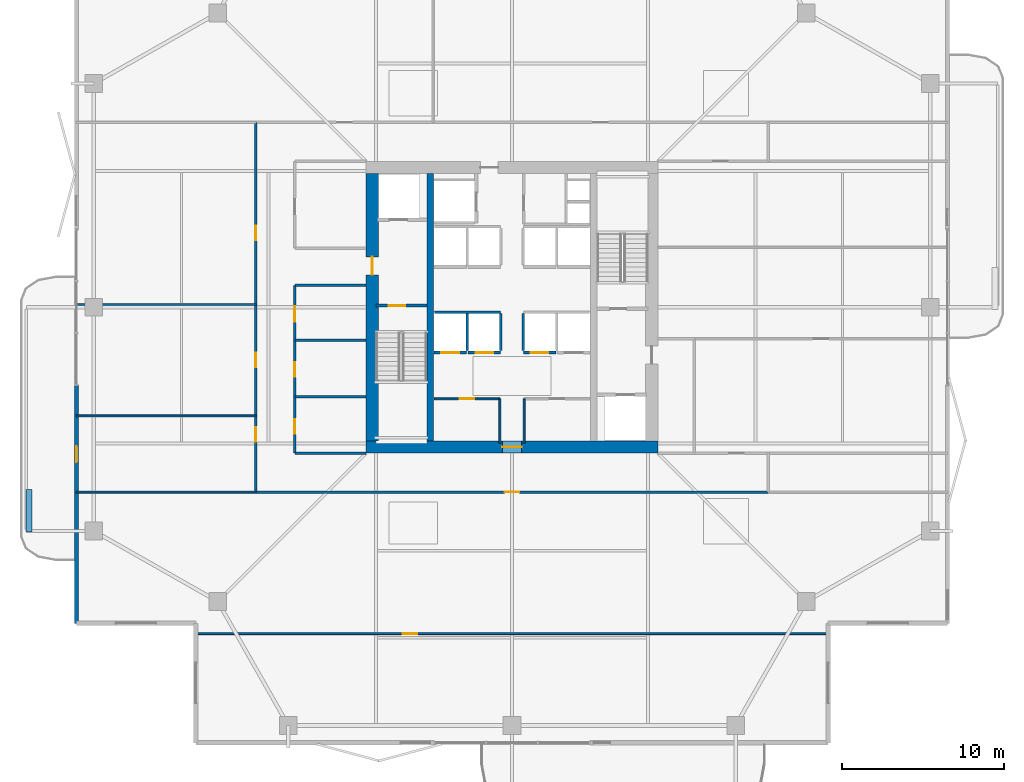
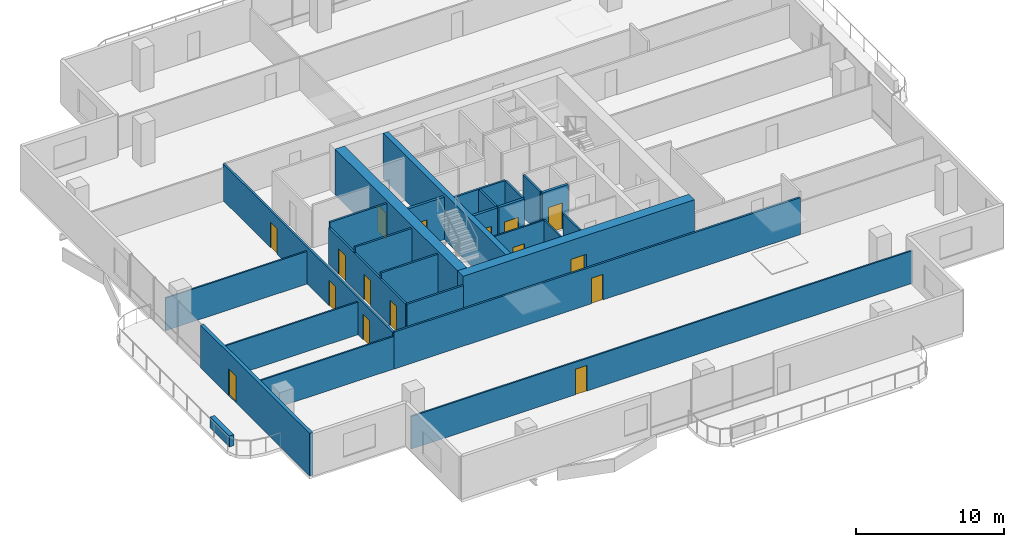
# One storey, part 17 of 24: 27 walls, 16 doors, 16 openings.
"""IFC4 building model written with IfcOpenShell, lengths in metres."""

from ifc_helpers import new_model, si_unit, direction, frame, frame_2d, origin, place, context, subcontext, project, spatial, rectangle, extrude, material, layer, layer_set, type_object, element, fill, save


model = new_model("IFC4")

# Units and contexts
model_context = context("Model", 3, precision=1e-05, world=origin(), true_north=direction((0.0, 1.0)))
body_context = subcontext(model_context, "Body", "Model", "MODEL_VIEW")
ifc_project = project(units=[si_unit("LENGTHUNIT", "METRE"), si_unit("AREAUNIT", "SQUARE_METRE"), si_unit("VOLUMEUNIT", "CUBIC_METRE"), si_unit("PLANEANGLEUNIT", "RADIAN"), si_unit("MASSUNIT", "GRAM", prefix="KILO")], contexts=[model_context])

# Site, building, storey
site_placement = place(None, origin())
site = spatial("IfcSite", under=ifc_project, at=site_placement, CompositionType="ELEMENT")
building_placement = place(site_placement, origin())
building = spatial("IfcBuilding", under=site, at=building_placement, Name="Belovzor Exchange Tower", CompositionType="ELEMENT")
storey_placement = place(building_placement, frame((0.0, 0.0, 237.449951171875)))
storey = spatial("IfcBuildingStorey", under=building, at=storey_placement, Name="L59", CompositionType="ELEMENT", Elevation=237.449951171875)

# Wall, opening, door
ifc_material_1 = material(Name="Acoustic Plasterboard on Galvanised Studs", Category="gypsum")
ifc_layer_1 = layer(ifc_material_1, 0.1201171875)
ifc_layer_set_1 = layer_set([ifc_layer_1], Name="Acoustic Plasterboard on Galvanised Studs")
wall_type_1 = type_object("IfcWallType", Name="Acoustic Double-Stud Partition Wall 120", PredefinedType="PARTITIONING", material=ifc_layer_set_1)
wall_1_placement = place(storey_placement, frame((9.300048828125, 8.6650390625, 0.0), z_axis=(0.0, 0.0, 1.0), x_axis=(1.0, 0.0, 0.0)))
wall_1 = element("IfcWall", 1, at=wall_1_placement, inside=storey, type_object=wall_type_1, Name="W-P120 Partition Wall W-L59-SHDIV-0", PredefinedType="PARTITIONING", context=body_context, shape_type="SweptSolid", body=[
    extrude(rectangle(XDim=39.0, YDim=0.1201171875, at=frame_2d((19.5, 0.0))), origin(), (0.0, 0.0, 1.0), 2.68505859375),
])
opening_1_placement = place(wall_1_placement, frame((12.76708984375, 0.0, 0.0)))
opening_1 = element("IfcOpeningElement", 2, at=opening_1_placement, cuts=wall_1, Name="Opening D-INT-090", PredefinedType="OPENING", context=body_context, shape_type="SweptSolid", body=[
    extrude(rectangle(XDim=0.89990234375, YDim=2.10009765625, at=frame_2d((0.449951171875, 1.050048828125))), frame((0.0, 0.070068359375, 0.0), z_axis=(0.0, -1.0, 0.0), x_axis=(1.0, 0.0, 0.0)), (0.0, 0.0, 1.0), 0.14013671875),
])
ifc_material_2 = material(Name="Veneered Hardwood Acoustic Leaf", Category="wood")
door_type_1 = type_object("IfcDoorType", Name="Trading Suite Acoustic Single Door 900x2100", OperationType="NOTDEFINED", PredefinedType="DOOR", material=ifc_material_2)
door_1_placement = place(opening_1_placement, origin())
door_1 = element("IfcDoor", 3, at=door_1_placement, inside=storey, type_object=door_type_1, Name="D-INT-090 Trading Suite Acoustic Single Door 900x2100", OperationType="SINGLE_SWING_LEFT", OverallHeight=2.10009765625, OverallWidth=0.89990234375, PredefinedType="DOOR", context=body_context, shape_type="SweptSolid", body=[
    extrude(rectangle(XDim=0.89990234375, YDim=2.10009765625, at=frame_2d((0.449951171875, 1.050048828125))), frame((0.0, 0.02490234375, 0.0), z_axis=(0.0, -1.0, 0.0), x_axis=(1.0, 0.0, 0.0)), (0.0, 0.0, 1.0), 0.050048828125),
])
fill(opening_1, door_1)

# Walls
for number, where, z_axis, x_axis, name in (
    (4, (1.929931640625, 22.10009765625, 0.0), (0.0, 0.0, 1.0), (1.0, 0.0, 0.0), "W-P120 Partition Wall W-L59-WDIV-1"),
    (5, (1.929931640625, 28.968994140625, 0.0), (0.0, 0.0, 1.0), (1.0, 0.0, 0.0), "W-P120 Partition Wall W-L59-WDIV-2"),
    (6, (1.929931640625, 17.39990234375, 0.0), (0.0, 0.0, 1.0), (1.0, 0.0, 0.0), "W-P120 Partition Wall W-L59-END-SW"),
):
    element("IfcWall", number, at=place(storey_placement, frame(where, z_axis=z_axis, x_axis=x_axis)), inside=storey, type_object=wall_type_1, Name=name, PredefinedType="PARTITIONING", context=body_context, shape_type="SweptSolid", body=[
        extrude(rectangle(XDim=11.070068359375, YDim=0.1201171875, at=frame_2d((5.53515625, 0.0))), origin(), (0.0, 0.0, 1.0), 2.68505859375),
    ])

# Wall, opening, door
ifc_material_3 = material(Name="Fire-Rated Plasterboard on Galvanised Studs", Category="gypsum")
ifc_layer_2 = layer(ifc_material_3, 0.1201171875)
ifc_layer_set_2 = layer_set([ifc_layer_2], Name="Fire-Rated Plasterboard on Galvanised Studs")
wall_type_2 = type_object("IfcWallType", Name="Fire-Rated Double-Stud Partition Wall 120", PredefinedType="PARTITIONING", material=ifc_layer_set_2)
wall_2_placement = place(storey_placement, frame((24.0, 23.14990234375, 0.0), z_axis=(0.0, 0.0, 1.0), x_axis=(1.0, 0.0, 0.0)))
wall_2 = element("IfcWall", 7, at=wall_2_placement, inside=storey, type_object=wall_type_2, Name="W-P120F Partition Wall W-CRL-L59-WN", PredefinedType="PARTITIONING", context=body_context, shape_type="SweptSolid", body=[
    extrude(rectangle(XDim=4.050048828125, YDim=0.1201171875, at=frame_2d((2.02490234375, 0.0))), origin(), (0.0, 0.0, 1.0), 3.5),
])
opening_2_placement = place(wall_2_placement, frame((1.574951171875, 0.0, 0.0)))
opening_2 = element("IfcOpeningElement", 8, at=opening_2_placement, cuts=wall_2, Name="Opening D-FD60-090", PredefinedType="OPENING", context=body_context, shape_type="SweptSolid", body=[
    extrude(rectangle(XDim=0.89990234375, YDim=2.10009765625, at=frame_2d((0.449951171875, 1.050048828125))), frame((0.0, 0.070068359375, 0.0), z_axis=(0.0, -1.0, 0.0), x_axis=(1.0, 0.0, 0.0)), (0.0, 0.0, 1.0), 0.14013671875),
])
ifc_material_4 = material(Name="Acoustic Timber Fire Leaf", Category="wood")
door_type_2 = type_object("IfcDoorType", Name="Core Service & Restroom Fire Door 900x2100", OperationType="NOTDEFINED", PredefinedType="DOOR", material=ifc_material_4)
door_2_placement = place(opening_2_placement, origin())
door_2 = element("IfcDoor", 9, at=door_2_placement, inside=storey, type_object=door_type_2, Name="D-FD60-090 Core Service & Restroom Fire Door 900x2100", OperationType="SINGLE_SWING_LEFT", OverallHeight=2.10009765625, OverallWidth=0.89990234375, PredefinedType="DOOR", context=body_context, shape_type="SweptSolid", body=[
    extrude(rectangle(XDim=0.89990234375, YDim=2.10009765625, at=frame_2d((0.449951171875, 1.050048828125))), frame((0.0, 0.02490234375, 0.0), z_axis=(0.0, -1.0, 0.0), x_axis=(1.0, 0.0, 0.0)), (0.0, 0.0, 1.0), 0.050048828125),
])
fill(opening_2, door_2)

# Walls
for number, where, z_axis, x_axis, name in (
    (10, (28.050048828125, 20.39990234375, 0.0), (0.0, 0.0, 1.0), (0.0, 1.0, 0.0), "W-P120F Partition Wall W-CRL-L59-WE"),
    (11, (29.550048828125, 20.39990234375, 0.0), (0.0, 0.0, 1.0), (0.0, 1.0, 0.0), "W-P120F Partition Wall W-CRL-L59-EW"),
):
    element("IfcWall", number, at=place(storey_placement, frame(where, z_axis=z_axis, x_axis=x_axis)), inside=storey, type_object=wall_type_2, Name=name, PredefinedType="PARTITIONING", context=body_context, shape_type="SweptSolid", body=[
        extrude(rectangle(XDim=2.75, YDim=0.1201171875, at=frame_2d((1.375, 0.0))), origin(), (0.0, 0.0, 1.0), 3.5),
    ])
ifc_material_5 = material(Name="Fire-Rated Gypsum Block and Mineral Wool", Category="gypsum")
ifc_layer_3 = layer(ifc_material_5, 0.14990234375)
ifc_layer_set_3 = layer_set([ifc_layer_3], Name="Fire-Rated Gypsum Block and Mineral Wool")
wall_type_3 = type_object("IfcWallType", Name="Fire-Rated Gypsum Block Corridor Wall 150", PredefinedType="PARTITIONING", material=ifc_layer_set_3)
wall_3_placement = place(storey_placement, frame((15.39990234375, 19.800048828125, 0.0), z_axis=(0.0, 0.0, 1.0), x_axis=(1.0, 0.0, 0.0)))
element("IfcWall", 12, at=wall_3_placement, inside=storey, type_object=wall_type_3, Name="W-P150 Partition Wall W-L59-WIC-S", PredefinedType="PARTITIONING", context=body_context, shape_type="SweptSolid", body=[
    extrude(rectangle(XDim=4.400146484375, YDim=0.14990234375, at=frame_2d((2.2001953125, 0.0))), origin(), (0.0, 0.0, 1.0), 3.03515625),
])
for number, where, z_axis, x_axis, name in (
    (13, (15.39990234375, 23.27490234375, 0.0), (0.0, 0.0, 1.0), (1.0, 0.0, 0.0), "W-P150 Partition Wall W-L59-WIC-D1"),
    (14, (15.39990234375, 26.77490234375, 0.0), (0.0, 0.0, 1.0), (1.0, 0.0, 0.0), "W-P150 Partition Wall W-L59-WIC-D2"),
    (15, (15.39990234375, 30.14990234375, 0.0), (0.0, 0.0, 1.0), (1.0, 0.0, 0.0), "W-P150 Partition Wall W-L59-WIC-N"),
):
    element("IfcWall", number, at=place(storey_placement, frame(where, z_axis=z_axis, x_axis=x_axis)), inside=storey, type_object=wall_type_3, Name=name, PredefinedType="PARTITIONING", context=body_context, shape_type="SweptSolid", body=[
        extrude(rectangle(XDim=4.400146484375, YDim=0.14990234375, at=frame_2d((2.2001953125, 0.0))), origin(), (0.0, 0.0, 1.0), 3.5),
    ])

# Wall, openings, doors
wall_4_placement = place(storey_placement, frame((15.39990234375, 19.800048828125, 0.0), z_axis=(0.0, 0.0, 1.0), x_axis=(0.0, 1.0, 0.0)))
wall_4 = element("IfcWall", 16, at=wall_4_placement, inside=storey, type_object=wall_type_3, Name="W-P150 Partition Wall W-L59-WIE-S", PredefinedType="PARTITIONING", context=body_context, shape_type="SweptSolid", body=[
    extrude(rectangle(XDim=10.349853515625, YDim=0.14990234375, at=frame_2d((5.1748046875, 0.0))), origin(), (0.0, 0.0, 1.0), 3.03515625),
])
opening_3_placement = place(wall_4_placement, frame((1.199951171875, 0.0, 0.0)))
opening_3 = element("IfcOpeningElement", 17, at=opening_3_placement, cuts=wall_4, Name="Opening D-FD60-090", PredefinedType="OPENING", context=body_context, shape_type="SweptSolid", body=[
    extrude(rectangle(XDim=0.89990234375, YDim=2.10009765625, at=frame_2d((0.449951171875, 1.050048828125))), frame((0.0, 0.0849609375, 0.0), z_axis=(0.0, -1.0, 0.0), x_axis=(1.0, 0.0, 0.0)), (0.0, 0.0, 1.0), 0.169921875),
])
opening_4_placement = place(wall_4_placement, frame((4.699951171875, 0.0, 0.0)))
opening_4 = element("IfcOpeningElement", 18, at=opening_4_placement, cuts=wall_4, Name="Opening D-FD60-090", PredefinedType="OPENING", context=body_context, shape_type="SweptSolid", body=[
    extrude(rectangle(XDim=0.89990234375, YDim=2.10009765625, at=frame_2d((0.449951171875, 1.050048828125))), frame((0.0, 0.0849609375, 0.0), z_axis=(0.0, -1.0, 0.0), x_axis=(1.0, 0.0, 0.0)), (0.0, 0.0, 1.0), 0.169921875),
])
opening_5_placement = place(wall_4_placement, frame((8.10009765625, 0.0, 0.0)))
opening_5 = element("IfcOpeningElement", 19, at=opening_5_placement, cuts=wall_4, Name="Opening D-FD60-095", PredefinedType="OPENING", context=body_context, shape_type="SweptSolid", body=[
    extrude(rectangle(XDim=0.949951171875, YDim=2.10009765625, at=frame_2d((0.47509765625, 1.050048828125))), frame((0.0, 0.0849609375, 0.0), z_axis=(0.0, -1.0, 0.0), x_axis=(1.0, 0.0, 0.0)), (0.0, 0.0, 1.0), 0.169921875),
])
ifc_material_6 = material(Name="Moisture-Resistant Timber Fire Leaf", Category="wood")
door_type_3 = type_object("IfcDoorType", Name="Accessible Restroom Wide Fire Door 950x2100", OperationType="NOTDEFINED", PredefinedType="DOOR", material=ifc_material_6)
door_3_placement = place(opening_5_placement, origin())
door_3 = element("IfcDoor", 20, at=door_3_placement, inside=storey, type_object=door_type_3, Name="D-FD60-095 Accessible Restroom Wide Fire Door 950x2100", OperationType="SINGLE_SWING_LEFT", OverallHeight=2.10009765625, OverallWidth=0.949951171875, PredefinedType="DOOR", context=body_context, shape_type="SweptSolid", body=[
    extrude(rectangle(XDim=0.949951171875, YDim=2.10009765625, at=frame_2d((0.47509765625, 1.050048828125))), frame((0.0, 0.02490234375, 0.0), z_axis=(0.0, -1.0, 0.0), x_axis=(1.0, 0.0, 0.0)), (0.0, 0.0, 1.0), 0.050048828125),
])
fill(opening_5, door_3)
door_4_placement = place(opening_3_placement, origin())
door_4 = element("IfcDoor", 21, at=door_4_placement, inside=storey, type_object=door_type_2, Name="D-FD60-090 Core Service & Restroom Fire Door 900x2100", OperationType="SINGLE_SWING_LEFT", OverallHeight=2.10009765625, OverallWidth=0.89990234375, PredefinedType="DOOR", context=body_context, shape_type="SweptSolid", body=[
    extrude(rectangle(XDim=0.89990234375, YDim=2.10009765625, at=frame_2d((0.449951171875, 1.050048828125))), frame((0.0, 0.02490234375, 0.0), z_axis=(0.0, -1.0, 0.0), x_axis=(1.0, 0.0, 0.0)), (0.0, 0.0, 1.0), 0.050048828125),
])
fill(opening_3, door_4)
door_5_placement = place(opening_4_placement, origin())
door_5 = element("IfcDoor", 22, at=door_5_placement, inside=storey, type_object=door_type_2, Name="D-FD60-090 Core Service & Restroom Fire Door 900x2100", OperationType="SINGLE_SWING_RIGHT", OverallHeight=2.10009765625, OverallWidth=0.89990234375, PredefinedType="DOOR", context=body_context, shape_type="SweptSolid", body=[
    extrude(rectangle(XDim=0.89990234375, YDim=2.10009765625, at=frame_2d((0.449951171875, 1.050048828125))), frame((0.0, 0.02490234375, 0.0), z_axis=(0.0, -1.0, 0.0), x_axis=(1.0, 0.0, 0.0)), (0.0, 0.0, 1.0), 0.050048828125),
])
fill(opening_4, door_5)

# Wall, opening, door
wall_5_placement = place(storey_placement, frame((13.0, 17.39990234375, 0.0), z_axis=(0.0, 0.0, 1.0), x_axis=(1.0, 0.0, 0.0)))
wall_5 = element("IfcWall", 23, at=wall_5_placement, inside=storey, type_object=wall_type_3, Name="W-P150 Partition Wall W-L59-CS", PredefinedType="PARTITIONING", context=body_context, shape_type="SweptSolid", body=[
    extrude(rectangle(XDim=31.60009765625, YDim=0.14990234375, at=frame_2d((15.800048828125, 0.0))), origin(), (0.0, 0.0, 1.0), 3.03515625),
])
opening_6_placement = place(wall_5_placement, frame((15.35009765625, 0.0, 0.0)))
opening_6 = element("IfcOpeningElement", 24, at=opening_6_placement, cuts=wall_5, Name="Opening D-INT-090", PredefinedType="OPENING", context=body_context, shape_type="SweptSolid", body=[
    extrude(rectangle(XDim=0.89990234375, YDim=2.10009765625, at=frame_2d((0.449951171875, 1.050048828125))), frame((0.0, 0.0849609375, 0.0), z_axis=(0.0, -1.0, 0.0), x_axis=(1.0, 0.0, 0.0)), (0.0, 0.0, 1.0), 0.169921875),
])
door_6_placement = place(opening_6_placement, origin())
door_6 = element("IfcDoor", 25, at=door_6_placement, inside=storey, type_object=door_type_1, Name="D-INT-090 Trading Suite Acoustic Single Door 900x2100", OperationType="SINGLE_SWING_RIGHT", OverallHeight=2.10009765625, OverallWidth=0.89990234375, PredefinedType="DOOR", context=body_context, shape_type="SweptSolid", body=[
    extrude(rectangle(XDim=0.89990234375, YDim=2.10009765625, at=frame_2d((0.449951171875, 1.050048828125))), frame((0.0, 0.02490234375, 0.0), z_axis=(0.0, -1.0, 0.0), x_axis=(1.0, 0.0, 0.0)), (0.0, 0.0, 1.0), 0.050048828125),
])
fill(opening_6, door_6)

# Wall, openings, doors
wall_6_placement = place(storey_placement, frame((13.0, 17.39990234375, 0.0), z_axis=(0.0, 0.0, 1.0), x_axis=(0.0, 1.0, 0.0)))
wall_6 = element("IfcWall", 26, at=wall_6_placement, inside=storey, type_object=wall_type_3, Name="W-P150 Partition Wall W-L59-CWO", PredefinedType="PARTITIONING", context=body_context, shape_type="SweptSolid", body=[
    extrude(rectangle(XDim=22.800048828125, YDim=0.14990234375, at=frame_2d((11.39990234375, 0.0))), origin(), (0.0, 0.0, 1.0), 3.03515625),
])
opening_7_placement = place(wall_6_placement, frame((3.10009765625, 0.0, 0.0)))
opening_7 = element("IfcOpeningElement", 27, at=opening_7_placement, cuts=wall_6, Name="Opening D-INT-090", PredefinedType="OPENING", context=body_context, shape_type="SweptSolid", body=[
    extrude(rectangle(XDim=0.89990234375, YDim=2.10009765625, at=frame_2d((0.449951171875, 1.050048828125))), frame((0.0, 0.0849609375, 0.0), z_axis=(0.0, -1.0, 0.0), x_axis=(1.0, 0.0, 0.0)), (0.0, 0.0, 1.0), 0.169921875),
])
opening_8_placement = place(wall_6_placement, frame((7.68505859375, 0.0, 0.0)))
opening_8 = element("IfcOpeningElement", 28, at=opening_8_placement, cuts=wall_6, Name="Opening D-INT-090", PredefinedType="OPENING", context=body_context, shape_type="SweptSolid", body=[
    extrude(rectangle(XDim=0.89990234375, YDim=2.10009765625, at=frame_2d((0.449951171875, 1.050048828125))), frame((0.0, 0.0849609375, 0.0), z_axis=(0.0, -1.0, 0.0), x_axis=(1.0, 0.0, 0.0)), (0.0, 0.0, 1.0), 0.169921875),
])
opening_9_placement = place(wall_6_placement, frame((15.534912109375, 0.0, 0.0)))
opening_9 = element("IfcOpeningElement", 29, at=opening_9_placement, cuts=wall_6, Name="Opening D-INT-090", PredefinedType="OPENING", context=body_context, shape_type="SweptSolid", body=[
    extrude(rectangle(XDim=0.89990234375, YDim=2.10009765625, at=frame_2d((0.449951171875, 1.050048828125))), frame((0.0, 0.0849609375, 0.0), z_axis=(0.0, -1.0, 0.0), x_axis=(1.0, 0.0, 0.0)), (0.0, 0.0, 1.0), 0.169921875),
])
door_7_placement = place(opening_7_placement, origin())
door_7 = element("IfcDoor", 30, at=door_7_placement, inside=storey, type_object=door_type_1, Name="D-INT-090 Trading Suite Acoustic Single Door 900x2100", OperationType="SINGLE_SWING_LEFT", OverallHeight=2.10009765625, OverallWidth=0.89990234375, PredefinedType="DOOR", context=body_context, shape_type="SweptSolid", body=[
    extrude(rectangle(XDim=0.89990234375, YDim=2.10009765625, at=frame_2d((0.449951171875, 1.050048828125))), frame((0.0, 0.02490234375, 0.0), z_axis=(0.0, -1.0, 0.0), x_axis=(1.0, 0.0, 0.0)), (0.0, 0.0, 1.0), 0.050048828125),
])
fill(opening_7, door_7)
door_8_placement = place(opening_8_placement, origin())
door_8 = element("IfcDoor", 31, at=door_8_placement, inside=storey, type_object=door_type_1, Name="D-INT-090 Trading Suite Acoustic Single Door 900x2100", OperationType="SINGLE_SWING_LEFT", OverallHeight=2.10009765625, OverallWidth=0.89990234375, PredefinedType="DOOR", context=body_context, shape_type="SweptSolid", body=[
    extrude(rectangle(XDim=0.89990234375, YDim=2.10009765625, at=frame_2d((0.449951171875, 1.050048828125))), frame((0.0, 0.02490234375, 0.0), z_axis=(0.0, -1.0, 0.0), x_axis=(1.0, 0.0, 0.0)), (0.0, 0.0, 1.0), 0.050048828125),
])
fill(opening_8, door_8)
door_9_placement = place(opening_9_placement, origin())
door_9 = element("IfcDoor", 32, at=door_9_placement, inside=storey, type_object=door_type_1, Name="D-INT-090 Trading Suite Acoustic Single Door 900x2100", OperationType="SINGLE_SWING_LEFT", OverallHeight=2.10009765625, OverallWidth=0.89990234375, PredefinedType="DOOR", context=body_context, shape_type="SweptSolid", body=[
    extrude(rectangle(XDim=0.89990234375, YDim=2.10009765625, at=frame_2d((0.449951171875, 1.050048828125))), frame((0.0, 0.02490234375, 0.0), z_axis=(0.0, -1.0, 0.0), x_axis=(1.0, 0.0, 0.0)), (0.0, 0.0, 1.0), 0.050048828125),
])
fill(opening_9, door_9)

# Wall, opening, door
ifc_material_7 = material(Name="Precast concrete C40/50", Category="concrete")
ifc_layer_4 = layer(ifc_material_7, 0.260009765625)
ifc_layer_set_4 = layer_set([ifc_layer_4], Name="Precast concrete C40/50")
wall_type_4 = type_object("IfcWallType", Name="Precast Concrete Perimeter Loggia Frame Wall 260", PredefinedType="SOLIDWALL", material=ifc_layer_set_4)
wall_7_placement = place(storey_placement, frame((1.929931640625, 9.300048828125, 0.0), z_axis=(0.0, 0.0, 1.0), x_axis=(0.0, 1.0, 0.0)))
wall_7 = element("IfcWall", 33, at=wall_7_placement, inside=storey, type_object=wall_type_4, Name="W-EXT260 Precast Concrete Perimeter Loggia Frame Wall 260 L59", PredefinedType="SOLIDWALL", context=body_context, shape_type="SweptSolid", body=[
    extrude(rectangle(XDim=14.699951171875, YDim=0.260009765625, at=frame_2d((7.35009765625, 0.0))), origin(), (0.0, 0.0, 1.0), 3.5),
])
opening_10_placement = place(wall_7_placement, frame((9.93408203125, 0.0, 0.0)))
opening_10 = element("IfcOpeningElement", 34, at=opening_10_placement, cuts=wall_7, Name="Opening D-BAL100", PredefinedType="OPENING", context=body_context, shape_type="SweptSolid", body=[
    extrude(rectangle(XDim=1.0, YDim=2.199951171875, at=frame_2d((0.5, 1.10009765625))), frame((0.0, 0.139892578125, 0.0), z_axis=(0.0, -1.0, 0.0), x_axis=(1.0, 0.0, 0.0)), (0.0, 0.0, 1.0), 0.280029296875),
])
ifc_material_8 = material(Name="Thermally Broken Anodised Aluminium and Laminated Glass", Category="aluminium")
door_type_4 = type_object("IfcDoorType", Name="Planted Loggia Terrace Glazed Door 1000x2200", OperationType="SINGLE_SWING_LEFT", PredefinedType="DOOR", material=ifc_material_8)
door_10_placement = place(opening_10_placement, origin())
door_10 = element("IfcDoor", 35, at=door_10_placement, inside=storey, type_object=door_type_4, Name="D-BAL100 Balcony Terrace Door L59 W", OperationType="SINGLE_SWING_RIGHT", OverallHeight=2.199951171875, OverallWidth=1.0, PredefinedType="DOOR", context=body_context, shape_type="SweptSolid", body=[
    extrude(rectangle(XDim=1.0, YDim=2.199951171875, at=frame_2d((0.5, 1.10009765625))), frame((0.0, 0.02490234375, 0.0), z_axis=(0.0, -1.0, 0.0), x_axis=(1.0, 0.0, 0.0)), (0.0, 0.0, 1.0), 0.050048828125),
])
fill(opening_10, door_10)

# Walls
ifc_material_9 = material(Name="Precast concrete C40/50", Category="concrete")
ifc_layer_5 = layer(ifc_material_9, 0.35009765625)
ifc_layer_set_5 = layer_set([ifc_layer_5], Name="Precast concrete C40/50")
wall_type_5 = type_object("IfcWallType", Name="Precast Concrete Structural Tree Planter Trough 350", PredefinedType="PARAPET", material=ifc_layer_set_5)
wall_8_placement = place(storey_placement, frame((-1.0, 14.949951171875, 0.0), z_axis=(0.0, 0.0, 1.0), x_axis=(0.0, 1.0, 0.0)))
element("IfcWall", 36, at=wall_8_placement, inside=storey, type_object=wall_type_5, Name="PT-350 Precast Concrete Structural Tree Planter Trough 350 L59", PredefinedType="PARAPET", context=body_context, shape_type="SweptSolid", body=[
    extrude(rectangle(XDim=2.60009765625, YDim=0.35009765625, at=frame_2d((1.300048828125, 0.0))), origin(), (0.0, 0.0, 1.0), 0.900146484375),
])
ifc_material_10 = material(Name="Concrete C50/60", Category="concrete")
ifc_layer_6 = layer(ifc_material_10, 0.39990234375)
ifc_layer_set_6 = layer_set([ifc_layer_6], Name="Concrete C50/60")
wall_type_6 = type_object("IfcWallType", Name="Reinforced Concrete Core Internal Web Wall 400", PredefinedType="SHEAR", material=ifc_layer_set_6)
wall_9_placement = place(storey_placement, frame((23.75, 20.550048828125, 0.0), z_axis=(0.0, 0.0, 1.0), x_axis=(0.0, 1.0, 0.0)))
element("IfcWall", 37, at=wall_9_placement, inside=storey, type_object=wall_type_6, Name="CW-W040 Core Internal Web Wall L59 WL", PredefinedType="SHEAR", context=body_context, shape_type="SweptSolid", body=[
    extrude(rectangle(XDim=16.5, YDim=0.39990234375, at=frame_2d((8.25, 0.0))), origin(), (0.0, 0.0, 1.0), 3.75),
])
ifc_material_11 = material(Name="Concrete C50/60", Category="concrete")
ifc_layer_7 = layer(ifc_material_11, 0.14990234375)
ifc_layer_set_7 = layer_set([ifc_layer_7], Name="Concrete C50/60")
wall_type_7 = type_object("IfcWallType", Name="Reinforced Concrete Core Riser Shear Wall 150", PredefinedType="SHEAR", material=ifc_layer_set_7)
wall_10_placement = place(storey_placement, frame((24.02001953125, 28.5, 0.0), z_axis=(0.0, 0.0, 1.0), x_axis=(1.0, 0.0, 0.0)))
element("IfcWall", 38, at=wall_10_placement, inside=storey, type_object=wall_type_7, Name="W-C150S Core Shaft Wall W-SHB-L59-PLM-NW", PredefinedType="SHEAR", context=body_context, shape_type="SweptSolid", body=[
    extrude(rectangle(XDim=4.080078125, YDim=0.14990234375, at=frame_2d((2.0400390625, 0.0))), origin(), (0.0, 0.0, 1.0), 3.5),
])
for number, where, z_axis, x_axis, name in (
    (39, (26.050048828125, 26.1201171875, 0.0), (0.0, 0.0, 1.0), (0.0, 1.0, 0.0), "W-C150S Core Shaft Wall W-SHD-L59-PLM-1"),
    (40, (28.10009765625, 26.1201171875, 0.0), (0.0, 0.0, 1.0), (0.0, 1.0, 0.0), "W-C150S Core Shaft Wall W-SHD-L59-PLM-2"),
    (41, (29.5, 26.1201171875, 0.0), (0.0, 0.0, 1.0), (0.0, 1.0, 0.0), "W-C150S Core Shaft Wall W-SHD-L59-PLM-3"),
):
    element("IfcWall", number, at=place(storey_placement, frame(where, z_axis=z_axis, x_axis=x_axis)), inside=storey, type_object=wall_type_7, Name=name, PredefinedType="SHEAR", context=body_context, shape_type="SweptSolid", body=[
        extrude(rectangle(XDim=2.27978515625, YDim=0.14990234375, at=frame_2d((1.139892578125, 0.0))), origin(), (0.0, 0.0, 1.0), 3.5),
    ])

# Wall, opening, door
ifc_material_12 = material(Name="Concrete C50/60", Category="concrete")
ifc_layer_8 = layer(ifc_material_12, 0.199951171875)
ifc_layer_set_8 = layer_set([ifc_layer_8], Name="Concrete C50/60")
wall_type_8 = type_object("IfcWallType", Name="Reinforced Concrete Core Shaft Shear Wall 200", PredefinedType="SHEAR", material=ifc_layer_set_8)
wall_11_placement = place(storey_placement, frame((20.39990234375, 28.89990234375, 0.0), z_axis=(0.0, 0.0, 1.0), x_axis=(1.0, 0.0, 0.0)))
wall_11 = element("IfcWall", 42, at=wall_11_placement, inside=storey, type_object=wall_type_8, Name="W-C200S Core Shaft Wall W-CORE-L59-FFLW1", PredefinedType="SHEAR", context=body_context, shape_type="SweptSolid", body=[
    extrude(rectangle(XDim=3.150146484375, YDim=0.199951171875, at=frame_2d((1.5751953125, 0.0))), origin(), (0.0, 0.0, 1.0), 3.5),
])
opening_11_placement = place(wall_11_placement, frame((0.800048828125, 0.0, 0.0)))
opening_11 = element("IfcOpeningElement", 43, at=opening_11_placement, cuts=wall_11, Name="Opening D-FD90-100", PredefinedType="OPENING", context=body_context, shape_type="SweptSolid", body=[
    extrude(rectangle(XDim=1.0, YDim=2.10009765625, at=frame_2d((0.5, 1.050048828125))), frame((0.0, 0.10986328125, 0.0), z_axis=(0.0, -1.0, 0.0), x_axis=(1.0, 0.0, 0.0)), (0.0, 0.0, 1.0), 0.219970703125),
])
ifc_material_13 = material(Name="Fire-Rated Galvanised Steel Leaf", Category="steel")
door_type_5 = type_object("IfcDoorType", Name="Protected Stairwell Single Fire Door 1000x2100", OperationType="NOTDEFINED", PredefinedType="DOOR", material=ifc_material_13)
door_11_placement = place(opening_11_placement, origin())
door_11 = element("IfcDoor", 44, at=door_11_placement, inside=storey, type_object=door_type_5, Name="D-FD90-100 Protected Stairwell Single Fire Door 1000x2100", OperationType="SINGLE_SWING_RIGHT", OverallHeight=2.10009765625, OverallWidth=1.0, PredefinedType="DOOR", context=body_context, shape_type="SweptSolid", body=[
    extrude(rectangle(XDim=1.0, YDim=2.10009765625, at=frame_2d((0.5, 1.050048828125))), frame((0.0, 0.02490234375, 0.0), z_axis=(0.0, -1.0, 0.0), x_axis=(1.0, 0.0, 0.0)), (0.0, 0.0, 1.0), 0.050048828125),
])
fill(opening_11, door_11)

wall_12_placement = place(storey_placement, frame((24.0, 26.0, 0.0), z_axis=(0.0, 0.0, 1.0), x_axis=(1.0, 0.0, 0.0)))
wall_12 = element("IfcWall", 45, at=wall_12_placement, inside=storey, type_object=wall_type_8, Name="W-C200S Core Shaft Wall W-SH-L59-PL-M1", PredefinedType="SHEAR", context=body_context, shape_type="SweptSolid", body=[
    extrude(rectangle(XDim=2.0, YDim=0.199951171875, at=frame_2d((1.0, 0.0))), origin(), (0.0, 0.0, 1.0), 3.5),
])
opening_12_placement = place(wall_12_placement, frame((0.449951171875, 0.0, 0.0)))
opening_12 = element("IfcOpeningElement", 46, at=opening_12_placement, cuts=wall_12, Name="Opening LD-110", PredefinedType="OPENING", context=body_context, shape_type="SweptSolid", body=[
    extrude(rectangle(XDim=1.10009765625, YDim=2.14990234375, at=frame_2d((0.550048828125, 1.074951171875))), frame((0.0, 0.10986328125, 0.0), z_axis=(0.0, -1.0, 0.0), x_axis=(1.0, 0.0, 0.0)), (0.0, 0.0, 1.0), 0.219970703125),
])
ifc_material_14 = material(Name="Stainless Steel Grade 304", Category="steel")
door_type_6 = type_object("IfcDoorType", Name="Automated Stainless Steel Lift Landing Door 1100x2150", OperationType="SLIDING_TO_RIGHT", PredefinedType="DOOR", material=ifc_material_14)
door_12_placement = place(opening_12_placement, origin())
door_12 = element("IfcDoor", 47, at=door_12_placement, inside=storey, type_object=door_type_6, Name="LD-110 Automated Stainless Steel Lift Landing Door 1100x2150", OperationType="SLIDING_TO_RIGHT", OverallHeight=2.14990234375, OverallWidth=1.10009765625, PredefinedType="DOOR", context=body_context, shape_type="SweptSolid", body=[
    extrude(rectangle(XDim=1.10009765625, YDim=2.14990234375, at=frame_2d((0.550048828125, 1.074951171875))), frame((0.0, 0.02490234375, 0.0), z_axis=(0.0, -1.0, 0.0), x_axis=(1.0, 0.0, 0.0)), (0.0, 0.0, 1.0), 0.050048828125),
])
fill(opening_12, door_12)

wall_13_placement = place(storey_placement, frame((26.10009765625, 26.0, 0.0), z_axis=(0.0, 0.0, 1.0), x_axis=(1.0, 0.0, 0.0)))
wall_13 = element("IfcWall", 48, at=wall_13_placement, inside=storey, type_object=wall_type_8, Name="W-C200S Core Shaft Wall W-SH-L59-PL-M2", PredefinedType="SHEAR", context=body_context, shape_type="SweptSolid", body=[
    extrude(rectangle(XDim=2.0, YDim=0.199951171875, at=frame_2d((1.0, 0.0))), origin(), (0.0, 0.0, 1.0), 3.5),
])
opening_13_placement = place(wall_13_placement, frame((0.449951171875, 0.0, 0.0)))
opening_13 = element("IfcOpeningElement", 49, at=opening_13_placement, cuts=wall_13, Name="Opening LD-110", PredefinedType="OPENING", context=body_context, shape_type="SweptSolid", body=[
    extrude(rectangle(XDim=1.10009765625, YDim=2.14990234375, at=frame_2d((0.550048828125, 1.074951171875))), frame((0.0, 0.10986328125, 0.0), z_axis=(0.0, -1.0, 0.0), x_axis=(1.0, 0.0, 0.0)), (0.0, 0.0, 1.0), 0.219970703125),
])
door_13_placement = place(opening_13_placement, origin())
door_13 = element("IfcDoor", 50, at=door_13_placement, inside=storey, type_object=door_type_6, Name="LD-110 Automated Stainless Steel Lift Landing Door 1100x2150", OperationType="SLIDING_TO_RIGHT", OverallHeight=2.14990234375, OverallWidth=1.10009765625, PredefinedType="DOOR", context=body_context, shape_type="SweptSolid", body=[
    extrude(rectangle(XDim=1.10009765625, YDim=2.14990234375, at=frame_2d((0.550048828125, 1.074951171875))), frame((0.0, 0.02490234375, 0.0), z_axis=(0.0, -1.0, 0.0), x_axis=(1.0, 0.0, 0.0)), (0.0, 0.0, 1.0), 0.050048828125),
])
fill(opening_13, door_13)

wall_14_placement = place(storey_placement, frame((29.5, 26.0, 0.0), z_axis=(0.0, 0.0, 1.0), x_axis=(1.0, 0.0, 0.0)))
wall_14 = element("IfcWall", 51, at=wall_14_placement, inside=storey, type_object=wall_type_8, Name="W-C200S Core Shaft Wall W-SH-L59-PL-M3", PredefinedType="SHEAR", context=body_context, shape_type="SweptSolid", body=[
    extrude(rectangle(XDim=2.0, YDim=0.199951171875, at=frame_2d((1.0, 0.0))), origin(), (0.0, 0.0, 1.0), 3.5),
])
opening_14_placement = place(wall_14_placement, frame((0.449951171875, 0.0, 0.0)))
opening_14 = element("IfcOpeningElement", 52, at=opening_14_placement, cuts=wall_14, Name="Opening LD-110", PredefinedType="OPENING", context=body_context, shape_type="SweptSolid", body=[
    extrude(rectangle(XDim=1.10009765625, YDim=2.14990234375, at=frame_2d((0.550048828125, 1.074951171875))), frame((0.0, 0.10986328125, 0.0), z_axis=(0.0, -1.0, 0.0), x_axis=(1.0, 0.0, 0.0)), (0.0, 0.0, 1.0), 0.219970703125),
])
door_14_placement = place(opening_14_placement, origin())
door_14 = element("IfcDoor", 53, at=door_14_placement, inside=storey, type_object=door_type_6, Name="LD-110 Automated Stainless Steel Lift Landing Door 1100x2150", OperationType="SLIDING_TO_RIGHT", OverallHeight=2.14990234375, OverallWidth=1.10009765625, PredefinedType="DOOR", context=body_context, shape_type="SweptSolid", body=[
    extrude(rectangle(XDim=1.10009765625, YDim=2.14990234375, at=frame_2d((0.550048828125, 1.074951171875))), frame((0.0, 0.02490234375, 0.0), z_axis=(0.0, -1.0, 0.0), x_axis=(1.0, 0.0, 0.0)), (0.0, 0.0, 1.0), 0.050048828125),
])
fill(opening_14, door_14)

ifc_material_15 = material(Name="Concrete C50/60", Category="concrete")
ifc_layer_9 = layer(ifc_material_15, 0.75)
ifc_layer_set_9 = layer_set([ifc_layer_9], Name="Concrete C50/60")
wall_type_9 = type_object("IfcWallType", Name="Reinforced Concrete Core Shear Wall 750", PredefinedType="SHEAR", material=ifc_layer_set_9)
wall_15_placement = place(storey_placement, frame((19.800048828125, 20.175048828125, 0.0), z_axis=(0.0, 0.0, 1.0), x_axis=(1.0, 0.0, 0.0)))
wall_15 = element("IfcWall", 54, at=wall_15_placement, inside=storey, type_object=wall_type_9, Name="CW-S075 Core Shear Wall L59 S", PredefinedType="SHEAR", context=body_context, shape_type="SweptSolid", body=[
    extrude(rectangle(XDim=18.0, YDim=0.75, at=frame_2d((9.0, 0.0))), origin(), (0.0, 0.0, 1.0), 3.75),
])
opening_15_placement = place(wall_15_placement, frame((8.39990234375, 0.0, 0.0)))
opening_15 = element("IfcOpeningElement", 55, at=opening_15_placement, cuts=wall_15, Name="Opening D-FD90-120", PredefinedType="OPENING", context=body_context, shape_type="SweptSolid", body=[
    extrude(rectangle(XDim=1.199951171875, YDim=2.199951171875, at=frame_2d((0.60009765625, 1.10009765625))), frame((0.0, 0.385009765625, 0.0), z_axis=(0.0, -1.0, 0.0), x_axis=(1.0, 0.0, 0.0)), (0.0, 0.0, 1.0), 0.77001953125),
])
ifc_material_16 = material(Name="Fire-Rated Galvanised Steel Leaf", Category="steel")
door_type_7 = type_object("IfcDoorType", Name="Heavy Plant & Foyer Fire Door 1200x2200", OperationType="NOTDEFINED", PredefinedType="DOOR", material=ifc_material_16)
door_15_placement = place(opening_15_placement, origin())
door_15 = element("IfcDoor", 56, at=door_15_placement, inside=storey, type_object=door_type_7, Name="D-FD90-120 Heavy Plant & Foyer Fire Door 1200x2200", OperationType="SINGLE_SWING_LEFT", OverallHeight=2.199951171875, OverallWidth=1.199951171875, PredefinedType="DOOR", context=body_context, shape_type="SweptSolid", body=[
    extrude(rectangle(XDim=1.199951171875, YDim=2.199951171875, at=frame_2d((0.60009765625, 1.10009765625))), frame((0.0, 0.02490234375, 0.0), z_axis=(0.0, -1.0, 0.0), x_axis=(1.0, 0.0, 0.0)), (0.0, 0.0, 1.0), 0.050048828125),
])
fill(opening_15, door_15)

wall_16_placement = place(storey_placement, frame((20.175048828125, 20.550048828125, 0.0), z_axis=(0.0, 0.0, 1.0), x_axis=(0.0, 1.0, 0.0)))
wall_16 = element("IfcWall", 57, at=wall_16_placement, inside=storey, type_object=wall_type_9, Name="CW-S075 Core Shear Wall L59 W", PredefinedType="SHEAR", context=body_context, shape_type="SweptSolid", body=[
    extrude(rectangle(XDim=16.5, YDim=0.75, at=frame_2d((8.25, 0.0))), origin(), (0.0, 0.0, 1.0), 3.75),
])
opening_16_placement = place(wall_16_placement, frame((10.25, 0.0, 0.0)))
opening_16 = element("IfcOpeningElement", 58, at=opening_16_placement, cuts=wall_16, Name="Opening D-FD90-110", PredefinedType="OPENING", context=body_context, shape_type="SweptSolid", body=[
    extrude(rectangle(XDim=1.10009765625, YDim=2.14990234375, at=frame_2d((0.550048828125, 1.074951171875))), frame((0.0, 0.385009765625, 0.0), z_axis=(0.0, -1.0, 0.0), x_axis=(1.0, 0.0, 0.0)), (0.0, 0.0, 1.0), 0.77001953125),
])
ifc_material_17 = material(Name="Fire-Rated Galvanised Steel Leaf", Category="steel")
door_type_8 = type_object("IfcDoorType", Name="Protected Escape Vestibule Fire Door 1100x2150", OperationType="NOTDEFINED", PredefinedType="DOOR", material=ifc_material_17)
door_16_placement = place(opening_16_placement, origin())
door_16 = element("IfcDoor", 59, at=door_16_placement, inside=storey, type_object=door_type_8, Name="D-FD90-110 Protected Escape Vestibule Fire Door 1100x2150", OperationType="SINGLE_SWING_LEFT", OverallHeight=2.14990234375, OverallWidth=1.10009765625, PredefinedType="DOOR", context=body_context, shape_type="SweptSolid", body=[
    extrude(rectangle(XDim=1.10009765625, YDim=2.14990234375, at=frame_2d((0.550048828125, 1.074951171875))), frame((0.0, 0.02490234375, 0.0), z_axis=(0.0, -1.0, 0.0), x_axis=(1.0, 0.0, 0.0)), (0.0, 0.0, 1.0), 0.050048828125),
])
fill(opening_16, door_16)

save(model, "model.ifc")
